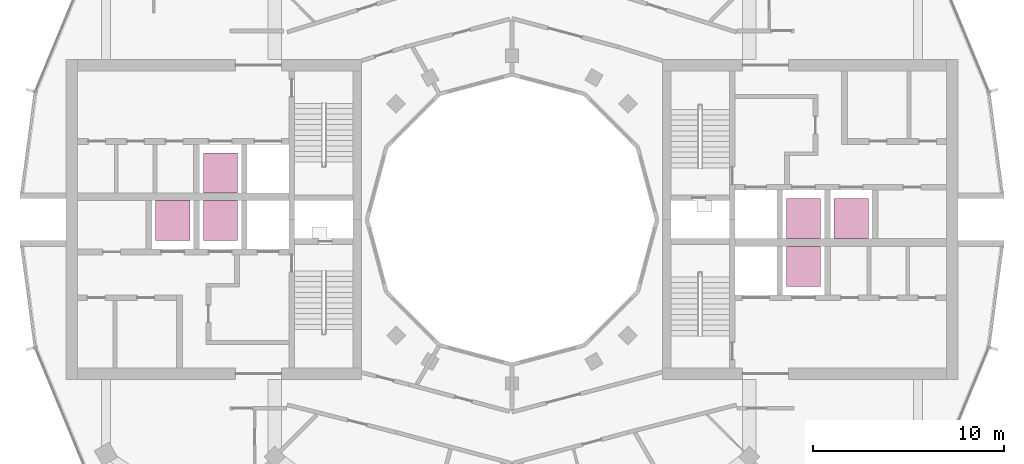
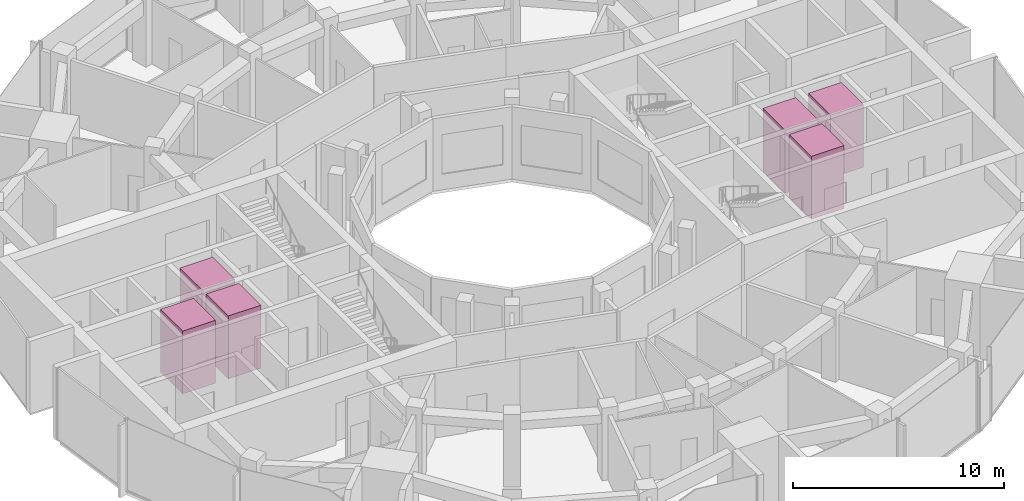
# One storey, part 15 of 15: 6 transport elements.
"""IFC4 building model written with IfcOpenShell, lengths in metres."""

import ifcopenshell
import ifcopenshell.guid

model = None  # the IFC model being written
_history = None  # IfcOwnerHistory: only IFC2X3 demands one
_inside = {}  # id of a spatial element -> (the spatial element, [elements in it])
_under = {}  # id of a project, library or spatial element -> (it, [spatial elements below it])
_declared = {}  # id of a project -> (the project, [libraries it declares])
_typed = {}  # id of a type object -> (the type object, [elements of that type])
_made_of = {}  # id of a material, layer set ... -> (it, [elements and type objects made of it])


def new_model(schema):
    """Start an empty IFC model of exactly this schema.

    Asked for "IFC4X3", IfcOpenShell would pick the latest addendum, in which some entities
    have other attributes; the version numbers below select the first issue.
    IFC2X3 requires an IfcOwnerHistory on every rooted entity: one is made here for all.
    """
    global model, _history
    if schema == "IFC4X3":
        model = ifcopenshell.file(schema_version=(4, 3, 0, 0))
    else:
        model = ifcopenshell.file(schema=schema)
    _inside.clear()
    _under.clear()
    _declared.clear()
    _typed.clear()
    _made_of.clear()
    _history = None
    if model.schema == "IFC2X3":
        org = make("IfcOrganization", Name="unknown")
        user = make(
            "IfcPersonAndOrganization",
            ThePerson=make("IfcPerson", FamilyName="unknown"),
            TheOrganization=org,
        )
        app = make(
            "IfcApplication",
            ApplicationDeveloper=org,
            Version="unknown",
            ApplicationFullName="unknown",
            ApplicationIdentifier="unknown",
        )
        _history = make(
            "IfcOwnerHistory",
            OwningUser=user,
            OwningApplication=app,
            ChangeAction="ADDED",
            CreationDate=0,
        )
    return model


def make(cls, **values):
    """One entity of the class cls with the attributes given. An attribute that is None is left unset."""
    return model.create_entity(
        cls, **{name: value for name, value in values.items() if value is not None}
    )


def rooted(cls, **values):
    """An entity with a GlobalId (a new one), such as an element, a storey or a relation."""
    return make(cls, GlobalId=ifcopenshell.guid.new(), OwnerHistory=_history, **values)


def si_unit(unit_type, name, prefix=None):
    """IfcSIUnit, for example si_unit("LENGTHUNIT", "METRE", prefix="MILLI")."""
    return make("IfcSIUnit", UnitType=unit_type, Prefix=prefix, Name=name)


def assignment(units):
    """IfcUnitAssignment: the units of a project."""
    return None if units is None else make("IfcUnitAssignment", Units=units)


def point(xyz):
    """IfcCartesianPoint."""
    return None if xyz is None else make("IfcCartesianPoint", Coordinates=xyz)


def direction(xyz):
    """IfcDirection."""
    return None if xyz is None else make("IfcDirection", DirectionRatios=xyz)


def frame(location, z_axis=None, x_axis=None):
    """IfcAxis2Placement3D, a coordinate frame: its origin and axes. An axis left out is left unset."""
    return make(
        "IfcAxis2Placement3D",
        Location=point(location),
        Axis=direction(z_axis),
        RefDirection=direction(x_axis),
    )


def frame_2d(location, x_axis=None):
    """IfcAxis2Placement2D, a coordinate frame in the plane: its origin and x axis."""
    return make(
        "IfcAxis2Placement2D", Location=point(location), RefDirection=direction(x_axis)
    )


def origin():
    """The frame at (0, 0, 0) with its axes left unset."""
    return frame((0.0, 0.0, 0.0))


def origin_2d():
    """The frame at (0, 0) in the plane with its x axis left unset."""
    return frame_2d((0.0, 0.0))


def place(relative_to, where):
    """IfcLocalPlacement: puts the frame where relative to a parent placement (None: the world)."""
    return make(
        "IfcLocalPlacement", PlacementRelTo=relative_to, RelativePlacement=where
    )


def context(
    kind, dimensions, precision=None, world=None, true_north=None, identifier=None
):
    """IfcGeometricRepresentationContext, for example the 3D "Model" context."""
    return make(
        "IfcGeometricRepresentationContext",
        ContextIdentifier=identifier,
        ContextType=kind,
        CoordinateSpaceDimension=dimensions,
        Precision=precision,
        WorldCoordinateSystem=world,
        TrueNorth=true_north,
    )


def subcontext(parent, identifier, kind, view, scale=None):
    """IfcGeometricRepresentationSubContext, for example "Body" below "Model"."""
    return make(
        "IfcGeometricRepresentationSubContext",
        ContextIdentifier=identifier,
        ContextType=kind,
        ParentContext=parent,
        TargetScale=scale,
        TargetView=view,
    )


def project(units=None, contexts=None):
    """IfcProject with its units and contexts."""
    return rooted(
        "IfcProject",
        Name="project",
        RepresentationContexts=contexts,
        UnitsInContext=assignment(units),
    )


def spatial(cls, under=None, at=None, **own):
    """A site, building, storey or space (cls), placed at a placement, below another one or the project."""
    s = rooted(cls, ObjectPlacement=at, **own)
    if under is not None:
        _under.setdefault(under.id(), (under, []))[1].append(s)
    return s


def profile(cls, at=None, kind="AREA", **sizes):
    """A parametric profile (cls). Its sizes go by their IFC names, for example OverallWidth=200.0."""
    return make(cls, ProfileType=kind, Position=at, **sizes)


def rectangle(**sizes):
    """IfcRectangleProfileDef."""
    return profile("IfcRectangleProfileDef", **sizes)


def extrude(swept, where, along, depth):
    """IfcExtrudedAreaSolid: the profile swept, set in the frame where, extruded along a direction by depth."""
    return make(
        "IfcExtrudedAreaSolid",
        SweptArea=swept,
        Position=where,
        ExtrudedDirection=direction(along),
        Depth=depth,
    )


def shape(context_of_items, identifier, shape_type, items):
    """IfcShapeRepresentation: the items that make up one representation, for example the "Body"."""
    return make(
        "IfcShapeRepresentation",
        ContextOfItems=context_of_items,
        RepresentationIdentifier=identifier,
        RepresentationType=shape_type,
        Items=items,
    )


def material(Name=None, Category=None):
    """IfcMaterial."""
    return make("IfcMaterial", Name=Name, Category=Category)


def made_of(thing, what):
    """Note that an element or type object is made of a material, layer set ...; save() writes the relation."""
    if what is not None:
        _made_of.setdefault(what.id(), (what, []))[1].append(thing)
    return thing


def type_object(cls, material=None, **own):
    """A type object (cls), such as IfcWallType, which elements share."""
    return made_of(rooted(cls, **own), material)


def element(
    cls,
    number,
    at=None,
    inside=None,
    cuts=None,
    type_object=None,
    material=None,
    context=None,
    identifier="Body",
    shape_type=None,
    held_by="IfcProductDefinitionShape",
    body=None,
    shapes=None,
    **own,
):
    """One element of the class cls, such as IfcWall. Its Tag is "e" and its number.

    at: its placement. inside: the storey or other place that contains it. cuts: it is an
    opening in that element (IfcRelVoidsElement). A single representation is given by context,
    identifier, shape_type and body (its items); several are given by shapes. held_by: the class
    of the entity that holds the representations. save() writes the other relations.
    """
    e = rooted(cls, Tag="e%d" % number, ObjectPlacement=at, **own)
    if body is not None:
        shapes = [shape(context, identifier, shape_type, body)]
    if shapes is not None:
        e.Representation = make(held_by, Representations=shapes)
    if inside is not None:
        _inside.setdefault(inside.id(), (inside, []))[1].append(e)
    if cuts is not None:
        rooted(
            "IfcRelVoidsElement", RelatingBuildingElement=cuts, RelatedOpeningElement=e
        )
    if type_object is not None:
        _typed.setdefault(type_object.id(), (type_object, []))[1].append(e)
    return made_of(e, material)


def aggregate(whole, parts):
    """IfcRelAggregates: a whole, such as a stair, and the parts it consists of."""
    return rooted("IfcRelAggregates", RelatingObject=whole, RelatedObjects=parts)


def save(model, path):
    """Write the relations noted so far, then the file.

    IfcRelAggregates (storeys below a building ...), IfcRelContainedInSpatialStructure (elements
    in a storey), IfcRelDefinesByType, IfcRelAssociatesMaterial and IfcRelDeclares: one each for
    every whole, place, type object, material and project.
    """
    for whole, parts in _under.values():
        aggregate(whole, parts)
    for where, things in _inside.values():
        rooted(
            "IfcRelContainedInSpatialStructure",
            RelatedElements=things,
            RelatingStructure=where,
        )
    for kind, things in _typed.values():
        rooted("IfcRelDefinesByType", RelatedObjects=things, RelatingType=kind)
    for what, things in _made_of.values():
        rooted("IfcRelAssociatesMaterial", RelatedObjects=things, RelatingMaterial=what)
    for by, libraries in _declared.values():
        rooted("IfcRelDeclares", RelatingContext=by, RelatedDefinitions=libraries)
    model.write(path)


model = new_model("IFC4")

# Units and contexts
model_context = context("Model", 3, precision=1e-05, world=origin(), true_north=direction((0.0, 1.0)))
body_context = subcontext(model_context, "Body", "Model", "MODEL_VIEW")
ifc_project = project(units=[si_unit("LENGTHUNIT", "METRE"), si_unit("AREAUNIT", "SQUARE_METRE"), si_unit("VOLUMEUNIT", "CUBIC_METRE"), si_unit("PLANEANGLEUNIT", "RADIAN"), si_unit("MASSUNIT", "GRAM", prefix="KILO")], contexts=[model_context])

# Site, building, storey
site_placement = place(None, origin())
site = spatial("IfcSite", under=ifc_project, at=site_placement, CompositionType="ELEMENT")
building_placement = place(site_placement, origin())
building = spatial("IfcBuilding", under=site, at=building_placement, Name="Torre Brocal", CompositionType="ELEMENT")
storey_placement = place(building_placement, frame((0.0, 0.0, 266.699951171875)))
storey = spatial("IfcBuildingStorey", under=building, at=storey_placement, Name="L61", CompositionType="ELEMENT", Elevation=266.699951171875)

# Transport elements
ifc_material = material(Name="Stainless steel AISI 316", Category="steel")
transport_element_type = type_object("IfcTransportElementType", Name="PASSENGER LIFT", PredefinedType="ELEVATOR", material=ifc_material)
for number, where, z_axis, x_axis, name in (
    (1, (95.300048828125, 75.050048828125, 0.0), (0.0, 0.0, 1.0), (1.0, 0.0, 0.0), "HIGH RISE LIFT E-HR1"),
    (2, (95.300048828125, 72.550048828125, 0.0), (0.0, 0.0, 1.0), (1.0, 0.0, 0.0), "HIGH RISE LIFT E-HR2"),
    (3, (97.800048828125, 75.050048828125, 0.0), (0.0, 0.0, 1.0), (1.0, 0.0, 0.0), "HIGH RISE LIFT E-HR3"),
    (4, (64.699951171875, 74.949951171875, 0.0), (0.0, 0.0, 1.0), (1.0, 0.0, 0.0), "HIGH RISE LIFT W-HR1"),
    (5, (64.699951171875, 77.449951171875, 0.0), (0.0, 0.0, 1.0), (1.0, 0.0, 0.0), "HIGH RISE LIFT W-HR2"),
    (6, (62.199951171875, 74.949951171875, 0.0), (0.0, 0.0, 1.0), (1.0, 0.0, 0.0), "HIGH RISE LIFT W-HR3"),
):
    element("IfcTransportElement", number, at=place(storey_placement, frame(where, z_axis=z_axis, x_axis=x_axis)), inside=storey, type_object=transport_element_type, Name=name, PredefinedType="ELEVATOR", context=body_context, shape_type="SweptSolid", body=[
        extrude(rectangle(XDim=1.800048828125, YDim=2.10009765625, at=origin_2d()), origin(), (0.0, 0.0, 1.0), 3.64990234375),
    ])

save(model, "model.ifc")
